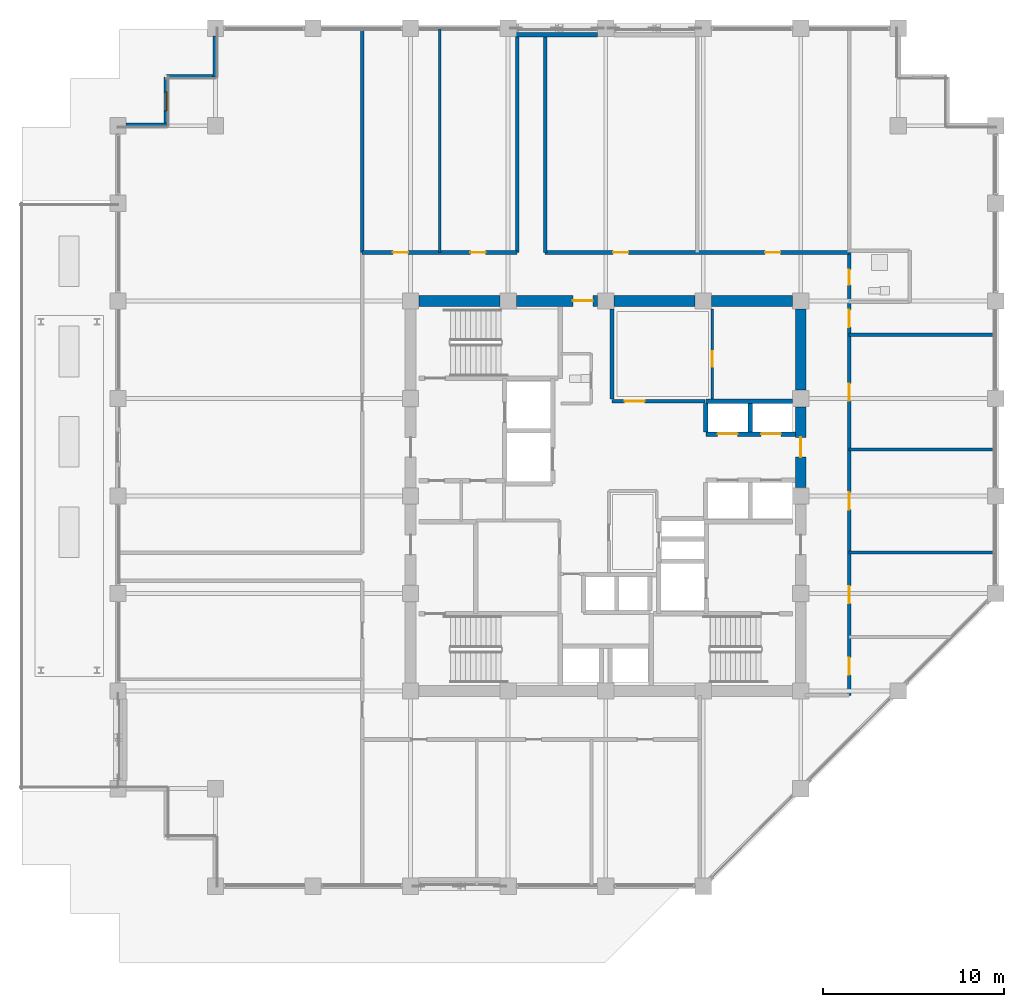
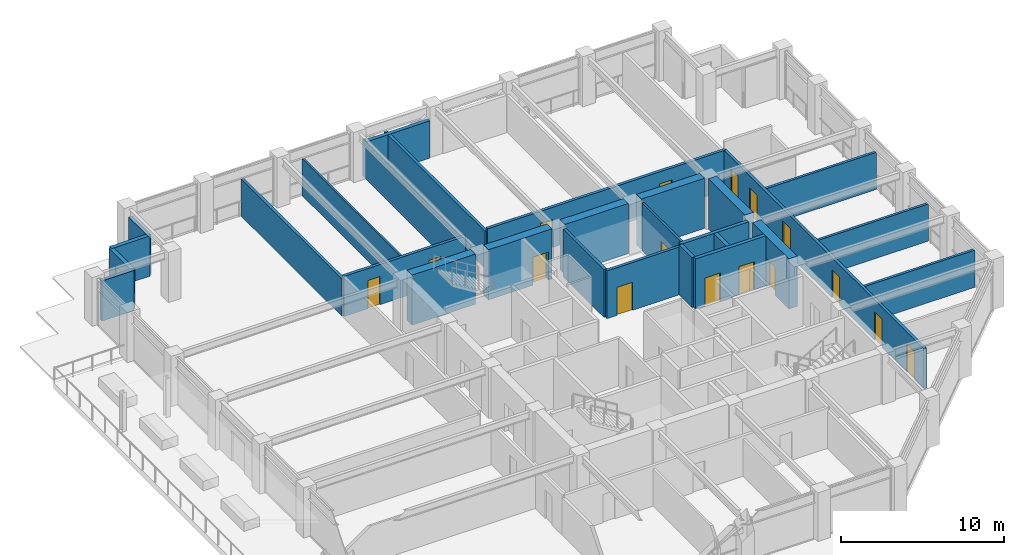
# One storey, part 27 of 36: 28 walls, 16 doors, 1 window, 17 openings.
"""IFC4 building model written with IfcOpenShell, lengths in metres."""

from ifc_helpers import new_model, si_unit, direction, frame, frame_2d, origin, place, context, subcontext, project, spatial, rectangle, extrude, material, layer, layer_set, type_object, element, fill, save


model = new_model("IFC4")

# Units and contexts
model_context = context("Model", 3, precision=1e-05, world=origin(), true_north=direction((0.0, 1.0)))
body_context = subcontext(model_context, "Body", "Model", "MODEL_VIEW")
ifc_project = project(units=[si_unit("LENGTHUNIT", "METRE"), si_unit("AREAUNIT", "SQUARE_METRE"), si_unit("VOLUMEUNIT", "CUBIC_METRE"), si_unit("PLANEANGLEUNIT", "RADIAN"), si_unit("MASSUNIT", "GRAM", prefix="KILO")], contexts=[model_context])

# Site, building, storey
site_placement = place(None, origin())
site = spatial("IfcSite", under=ifc_project, at=site_placement, CompositionType="ELEMENT")
building_placement = place(site_placement, origin())
building = spatial("IfcBuilding", under=site, at=building_placement, Name="Surkhivell Harbour Commons", CompositionType="ELEMENT")
storey_placement = place(building_placement, frame((0.0, 0.0, 171.0)))
storey = spatial("IfcBuildingStorey", under=building, at=storey_placement, Name="L44", CompositionType="ELEMENT", Elevation=171.0)

# Wall
ifc_material_1 = material(Name="Concrete C60/75", Category="concrete")
ifc_layer_1 = layer(ifc_material_1, 0.60009765625)
ifc_layer_set_1 = layer_set([ifc_layer_1], Name="Concrete C60/75")
wall_type_1 = type_object("IfcWallType", Name="WAL-CORE-600", PredefinedType="SHEAR", material=ifc_layer_set_1)
wall_1_placement = place(storey_placement, frame((-10.340087890625, 10.800048828125, 0.0), z_axis=(0.0, 0.0, 1.0), x_axis=(1.0, 0.0, 0.0)))
element("IfcWall", 1, at=wall_1_placement, inside=storey, type_object=wall_type_1, Name="L44 Core Shear Wall North 1", PredefinedType="SHEAR", context=body_context, shape_type="SweptSolid", body=[
    extrude(rectangle(XDim=4.47998046875, YDim=0.60009765625, at=frame_2d((2.239990234375, 0.0))), origin(), (0.0, 0.0, 1.0), 3.75),
])

# Wall, opening, door
wall_2_placement = place(storey_placement, frame((-4.93994140625, 10.800048828125, 0.0), z_axis=(0.0, 0.0, 1.0), x_axis=(1.0, 0.0, 0.0)))
wall_2 = element("IfcWall", 2, at=wall_2_placement, inside=storey, type_object=wall_type_1, Name="L44 Core Shear Wall North 2", PredefinedType="SHEAR", context=body_context, shape_type="SweptSolid", body=[
    extrude(rectangle(XDim=4.47998046875, YDim=0.60009765625, at=frame_2d((2.239990234375, 0.0))), origin(), (0.0, 0.0, 1.0), 3.75),
])
opening_1_placement = place(wall_2_placement, frame((3.1298828125, 0.0, 0.0)))
opening_1 = element("IfcOpeningElement", 3, at=opening_1_placement, cuts=wall_2, Name="Opening ID-2", PredefinedType="OPENING", context=body_context, shape_type="SweptSolid", body=[
    extrude(rectangle(XDim=1.10009765625, YDim=2.10009765625, at=frame_2d((0.550048828125, 1.050048828125))), frame((0.0, 0.31005859375, 0.0), z_axis=(0.0, -1.0, 0.0), x_axis=(1.0, 0.0, 0.0)), (0.0, 0.0, 1.0), 0.6201171875),
])
ifc_material_2 = material(Name="Hardwood-veneered fire-rated door leaf", Category="wood")
door_type_1 = type_object("IfcDoorType", Name="DOR-FD60-1100", OperationType="NOTDEFINED", PredefinedType="DOOR", material=ifc_material_2)
door_1_placement = place(opening_1_placement, origin())
door_1 = element("IfcDoor", 4, at=door_1_placement, inside=storey, type_object=door_type_1, Name="L44 Central Core Lift Hall North Corridor Door", OperationType="SINGLE_SWING_LEFT", OverallHeight=2.10009765625, OverallWidth=1.10009765625, PredefinedType="DOOR", context=body_context, shape_type="SweptSolid", body=[
    extrude(rectangle(XDim=1.10009765625, YDim=2.10009765625, at=frame_2d((0.550048828125, 1.050048828125))), frame((0.0, 0.02490234375, 0.0), z_axis=(0.0, -1.0, 0.0), x_axis=(1.0, 0.0, 0.0)), (0.0, 0.0, 1.0), 0.050048828125),
])
fill(opening_1, door_1)

# Wall
wall_3_placement = place(storey_placement, frame((0.4599609375, 10.800048828125, 0.0), z_axis=(0.0, 0.0, 1.0), x_axis=(1.0, 0.0, 0.0)))
element("IfcWall", 5, at=wall_3_placement, inside=storey, type_object=wall_type_1, Name="L44 Core Shear Wall North 3", PredefinedType="SHEAR", context=body_context, shape_type="SweptSolid", body=[
    extrude(rectangle(XDim=4.47998046875, YDim=0.60009765625, at=frame_2d((2.239990234375, 0.0))), origin(), (0.0, 0.0, 1.0), 3.75),
])

# Wall, opening, door
wall_4_placement = place(storey_placement, frame((10.800048828125, 0.4599609375, 0.0), z_axis=(0.0, 0.0, 1.0), x_axis=(0.0, 1.0, 0.0)))
wall_4 = element("IfcWall", 6, at=wall_4_placement, inside=storey, type_object=wall_type_1, Name="L44 Core Shear Wall East 3", PredefinedType="SHEAR", context=body_context, shape_type="SweptSolid", body=[
    extrude(rectangle(XDim=4.47998046875, YDim=0.60009765625, at=frame_2d((2.239990234375, 0.0))), origin(), (0.0, 0.0, 1.0), 3.75),
])
opening_2_placement = place(wall_4_placement, frame((1.68994140625, 0.0, 0.0)))
opening_2 = element("IfcOpeningElement", 7, at=opening_2_placement, cuts=wall_4, Name="Opening ID-2", PredefinedType="OPENING", context=body_context, shape_type="SweptSolid", body=[
    extrude(rectangle(XDim=1.10009765625, YDim=2.10009765625, at=frame_2d((0.550048828125, 1.050048828125))), frame((0.0, 0.31005859375, 0.0), z_axis=(0.0, -1.0, 0.0), x_axis=(1.0, 0.0, 0.0)), (0.0, 0.0, 1.0), 0.6201171875),
])
door_2_placement = place(opening_2_placement, origin())
door_2 = element("IfcDoor", 8, at=door_2_placement, inside=storey, type_object=door_type_1, Name="L44 Mid-Rise Lobby East Door", OperationType="SINGLE_SWING_LEFT", OverallHeight=2.10009765625, OverallWidth=1.10009765625, PredefinedType="DOOR", context=body_context, shape_type="SweptSolid", body=[
    extrude(rectangle(XDim=1.10009765625, YDim=2.10009765625, at=frame_2d((0.550048828125, 1.050048828125))), frame((0.0, 0.02490234375, 0.0), z_axis=(0.0, -1.0, 0.0), x_axis=(1.0, 0.0, 0.0)), (0.0, 0.0, 1.0), 0.050048828125),
])
fill(opening_2, door_2)

# Walls
for number, where, z_axis, x_axis, name in (
    (9, (5.860107421875, 10.800048828125, 0.0), (0.0, 0.0, 1.0), (1.0, 0.0, 0.0), "L44 Core Shear Wall North 4"),
    (10, (10.800048828125, 5.860107421875, 0.0), (0.0, 0.0, 1.0), (0.0, 1.0, 0.0), "L44 Core Shear Wall East 4"),
):
    element("IfcWall", number, at=place(storey_placement, frame(where, z_axis=z_axis, x_axis=x_axis)), inside=storey, type_object=wall_type_1, Name=name, PredefinedType="SHEAR", context=body_context, shape_type="SweptSolid", body=[
        extrude(rectangle(XDim=4.47998046875, YDim=0.60009765625, at=frame_2d((2.239990234375, 0.0))), origin(), (0.0, 0.0, 1.0), 3.75),
    ])
ifc_material_3 = material(Name="Pale-metal insulated precast concrete C45/55", Category="concrete")
ifc_layer_2 = layer(ifc_material_3, 0.260009765625)
ifc_layer_set_2 = layer_set([ifc_layer_2], Name="Pale-metal insulated precast concrete C45/55")
wall_type_2 = type_object("IfcWallType", Name="WAL-EXT-MTL260", PredefinedType="STANDARD", material=ifc_layer_set_2)
wall_5_placement = place(storey_placement, frame((-0.447998046875, 25.5400390625, 0.0), z_axis=(0.0, 0.0, 1.0), x_axis=(-1.0, 0.0, 0.0)))
element("IfcWall", 11, at=wall_5_placement, inside=storey, type_object=wall_type_2, Name="L44 Braced-Bay Insulated Spandrel Backing N", PredefinedType="STANDARD", context=body_context, shape_type="SweptSolid", body=[
    extrude(rectangle(XDim=4.50390625, YDim=0.260009765625, at=frame_2d((2.251953125, 0.0))), origin(), (0.0, 0.0, 1.0), 2.780029296875),
])
ifc_material_4 = material(Name="Terracotta-clad reinforced concrete C45/55", Category="masonry")
ifc_layer_3 = layer(ifc_material_4, 0.280029296875)
ifc_layer_set_3 = layer_set([ifc_layer_3], Name="Terracotta-clad reinforced concrete C45/55")
wall_type_3 = type_object("IfcWallType", Name="WAL-EXT-TER280", PredefinedType="STANDARD", material=ifc_layer_set_3)
wall_6_placement = place(storey_placement, frame((-21.60009765625, 25.451904296875, 0.0), z_axis=(0.0, 0.0, 1.0), x_axis=(0.0, -1.0, 0.0)))
element("IfcWall", 12, at=wall_6_placement, inside=storey, type_object=wall_type_3, Name="L44 Serrated Corner Facade Wall 08", PredefinedType="STANDARD", context=body_context, shape_type="SweptSolid", body=[
    extrude(rectangle(XDim=2.251953125, YDim=0.280029296875, at=frame_2d((1.1259765625, 0.0))), origin(), (0.0, 0.0, 1.0), 3.006103515625),
])
wall_7_placement = place(storey_placement, frame((-21.60009765625, 23.199951171875, 0.0), z_axis=(0.0, 0.0, 1.0), x_axis=(-1.0, 0.0, 0.0)))
element("IfcWall", 13, at=wall_7_placement, inside=storey, type_object=wall_type_3, Name="L44 Serrated Corner Facade Wall 09", PredefinedType="STANDARD", context=body_context, shape_type="SweptSolid", body=[
    extrude(rectangle(XDim=2.699951171875, YDim=0.280029296875, at=frame_2d((1.35009765625, 0.0))), origin(), (0.0, 0.0, 1.0), 3.006103515625),
])

# Wall, opening, window
wall_8_placement = place(storey_placement, frame((-24.300048828125, 23.199951171875, 0.0), z_axis=(0.0, 0.0, 1.0), x_axis=(0.0, -1.0, 0.0)))
wall_8 = element("IfcWall", 14, at=wall_8_placement, inside=storey, type_object=wall_type_3, Name="L44 Serrated Corner Facade Wall 10", PredefinedType="STANDARD", context=body_context, shape_type="SweptSolid", body=[
    extrude(rectangle(XDim=2.699951171875, YDim=0.280029296875, at=frame_2d((1.35009765625, 0.0))), origin(), (0.0, 0.0, 1.0), 3.006103515625),
])
opening_3_placement = place(wall_8_placement, frame((0.824951171875, 0.0, 0.64990234375)))
opening_3 = element("IfcOpeningElement", 15, at=opening_3_placement, cuts=wall_8, Name="Opening WN-11", PredefinedType="OPENING", context=body_context, shape_type="SweptSolid", body=[
    extrude(rectangle(XDim=1.050048828125, YDim=1.5, at=frame_2d((0.52490234375, 0.75))), frame((0.0, 0.14990234375, 0.0), z_axis=(0.0, -1.0, 0.0), x_axis=(1.0, 0.0, 0.0)), (0.0, 0.0, 1.0), 0.300048828125),
])
ifc_material_5 = material(Name="Thermal-break aluminium frame and double low-E glazing", Category="aluminium")
window_type = type_object("IfcWindowType", Name="WIN-SER-1050x1500", PartitioningType="SINGLE_PANEL", PredefinedType="WINDOW", material=ifc_material_5)
window_placement = place(opening_3_placement, origin())
window = element("IfcWindow", 16, at=window_placement, inside=storey, type_object=window_type, Name="L44 Serrated Alcove Window 10", OverallHeight=1.5, OverallWidth=1.050048828125, PartitioningType="SINGLE_PANEL", PredefinedType="WINDOW", context=body_context, shape_type="SweptSolid", body=[
    extrude(rectangle(XDim=1.050048828125, YDim=1.5, at=frame_2d((0.52490234375, 0.75))), frame((0.0, 0.030029296875, 0.0), z_axis=(0.0, -1.0, 0.0), x_axis=(1.0, 0.0, 0.0)), (0.0, 0.0, 1.0), 0.06005859375),
])
fill(opening_3, window)

# Walls
wall_9_placement = place(storey_placement, frame((-24.300048828125, 20.5, 0.0), z_axis=(0.0, 0.0, 1.0), x_axis=(-1.0, 0.0, 0.0)))
element("IfcWall", 17, at=wall_9_placement, inside=storey, type_object=wall_type_3, Name="L44 Serrated Corner Facade Wall 11", PredefinedType="STANDARD", context=body_context, shape_type="SweptSolid", body=[
    extrude(rectangle(XDim=2.251953125, YDim=0.280029296875, at=frame_2d((1.1259765625, 0.0))), origin(), (0.0, 0.0, 1.0), 3.006103515625),
])
ifc_material_6 = material(Name="Moisture-resistant acoustic stud partition", Category="other")
ifc_layer_4 = layer(ifc_material_6, 0.125)
ifc_layer_set_4 = layer_set([ifc_layer_4], Name="Moisture-resistant acoustic stud partition")
wall_type_4 = type_object("IfcWallType", Name="WAL-INT-125", PredefinedType="PARTITIONING", material=ifc_layer_set_4)
wall_10_placement = place(storey_placement, frame((-9.18994140625, 13.47998046875, 0.0), z_axis=(0.0, 0.0, 1.0), x_axis=(0.0, 1.0, 0.0)))
element("IfcWall", 18, at=wall_10_placement, inside=storey, type_object=wall_type_4, Name="L44 North-West Partition P1", PredefinedType="PARTITIONING", context=body_context, shape_type="SweptSolid", body=[
    extrude(rectangle(XDim=12.360107421875, YDim=0.125, at=frame_2d((6.18017578125, 0.0))), origin(), (0.0, 0.0, 1.0), 2.780029296875),
])

# Wall, opening, door
ifc_material_7 = material(Name="Twin-stud acoustic fireboard partition", Category="other")
ifc_layer_5 = layer(ifc_material_7, 0.14990234375)
ifc_layer_set_5 = layer_set([ifc_layer_5], Name="Twin-stud acoustic fireboard partition")
wall_type_5 = type_object("IfcWallType", Name="WAL-INT-150", PredefinedType="PARTITIONING", material=ifc_layer_set_5)
wall_11_placement = place(storey_placement, frame((5.89990234375, 5.360107421875, 0.0), z_axis=(0.0, 0.0, 1.0), x_axis=(0.0, 1.0, 0.0)))
wall_11 = element("IfcWall", 19, at=wall_11_placement, inside=storey, type_object=wall_type_5, Name="L44 Study Pod Wall 1", PredefinedType="PARTITIONING", context=body_context, shape_type="SweptSolid", body=[
    extrude(rectangle(XDim=4.97998046875, YDim=0.14990234375, at=frame_2d((2.489990234375, 0.0))), origin(), (0.0, 0.0, 1.0), 3.570068359375),
])
opening_4_placement = place(wall_11_placement, frame((1.800048828125, 0.0, 0.0)))
opening_4 = element("IfcOpeningElement", 20, at=opening_4_placement, cuts=wall_11, Name="Opening ID-6", PredefinedType="OPENING", context=body_context, shape_type="SweptSolid", body=[
    extrude(rectangle(XDim=0.85009765625, YDim=2.10009765625, at=frame_2d((0.425048828125, 1.050048828125))), frame((0.0, 0.0849609375, 0.0), z_axis=(0.0, -1.0, 0.0), x_axis=(1.0, 0.0, 0.0)), (0.0, 0.0, 1.0), 0.169921875),
])
door_type_2 = type_object("IfcDoorType", Name="DOR-FD30-850", OperationType="NOTDEFINED", PredefinedType="DOOR", material=ifc_material_2)
door_3_placement = place(opening_4_placement, origin())
door_3 = element("IfcDoor", 21, at=door_3_placement, inside=storey, type_object=door_type_2, Name="L44 Core Music Door", OperationType="SINGLE_SWING_RIGHT", OverallHeight=2.10009765625, OverallWidth=0.85009765625, PredefinedType="DOOR", context=body_context, shape_type="SweptSolid", body=[
    extrude(rectangle(XDim=0.85009765625, YDim=2.10009765625, at=frame_2d((0.425048828125, 1.050048828125))), frame((0.0, 0.02490234375, 0.0), z_axis=(0.0, -1.0, 0.0), x_axis=(1.0, 0.0, 0.0)), (0.0, 0.0, 1.0), 0.050048828125),
])
fill(opening_4, door_3)

# Walls
ifc_material_8 = material(Name="High-density acoustic blockwork fire partition", Category="masonry")
ifc_layer_6 = layer(ifc_material_8, 0.175048828125)
ifc_layer_set_6 = layer_set([ifc_layer_6], Name="High-density acoustic blockwork fire partition")
wall_type_6 = type_object("IfcWallType", Name="WAL-INT-175", PredefinedType="PARTITIONING", material=ifc_layer_set_6)
for number, where, z_axis, x_axis, name in (
    (22, (13.47998046875, -3.1201171875, 0.0), (0.0, 0.0, 1.0), (1.0, 0.0, 0.0), "L44 East Partition BDP1"),
    (23, (13.47998046875, 2.570068359375, 0.0), (0.0, 0.0, 1.0), (1.0, 0.0, 0.0), "L44 East Partition BDP2"),
    (24, (13.47998046875, 8.929931640625, 0.0), (0.0, 0.0, 1.0), (1.0, 0.0, 0.0), "L44 East Partition PTOP"),
):
    element("IfcWall", number, at=place(storey_placement, frame(where, z_axis=z_axis, x_axis=x_axis)), inside=storey, type_object=wall_type_6, Name=name, PredefinedType="PARTITIONING", context=body_context, shape_type="SweptSolid", body=[
        extrude(rectangle(XDim=8.06005859375, YDim=0.175048828125, at=frame_2d((4.030029296875, 0.0))), origin(), (0.0, 0.0, 1.0), 2.780029296875),
    ])

# Wall, opening, door
ifc_material_9 = material(Name="Autoclaved aerated concrete blockwork and fire plaster", Category="masonry")
ifc_layer_7 = layer(ifc_material_9, 0.199951171875)
ifc_layer_set_7 = layer_set([ifc_layer_7], Name="Autoclaved aerated concrete blockwork and fire plaster")
wall_type_7 = type_object("IfcWallType", Name="WAL-INT-200", PredefinedType="PARTITIONING", material=ifc_layer_set_7)
wall_12_placement = place(storey_placement, frame((0.35009765625, 5.239990234375, 0.0), z_axis=(0.0, 0.0, 1.0), x_axis=(1.0, 0.0, 0.0)))
wall_12 = element("IfcWall", 25, at=wall_12_placement, inside=storey, type_object=wall_type_7, Name="L44 Reclaimed Core North Bay South Wall", PredefinedType="PARTITIONING", context=body_context, shape_type="SweptSolid", body=[
    extrude(rectangle(XDim=5.14990234375, YDim=0.199951171875, at=frame_2d((2.574951171875, 0.0))), origin(), (0.0, 0.0, 1.0), 3.570068359375),
])
opening_5_placement = place(wall_12_placement, frame((0.699951171875, 0.0, 0.0)))
opening_5 = element("IfcOpeningElement", 26, at=opening_5_placement, cuts=wall_12, Name="Opening ID-2", PredefinedType="OPENING", context=body_context, shape_type="SweptSolid", body=[
    extrude(rectangle(XDim=1.10009765625, YDim=2.10009765625, at=frame_2d((0.550048828125, 1.050048828125))), frame((0.0, 0.10986328125, 0.0), z_axis=(0.0, -1.0, 0.0), x_axis=(1.0, 0.0, 0.0)), (0.0, 0.0, 1.0), 0.219970703125),
])
door_4_placement = place(opening_5_placement, origin())
door_4 = element("IfcDoor", 27, at=door_4_placement, inside=storey, type_object=door_type_1, Name="L44 Core Seminar Door", OperationType="SINGLE_SWING_LEFT", OverallHeight=2.10009765625, OverallWidth=1.10009765625, PredefinedType="DOOR", context=body_context, shape_type="SweptSolid", body=[
    extrude(rectangle(XDim=1.10009765625, YDim=2.10009765625, at=frame_2d((0.550048828125, 1.050048828125))), frame((0.0, 0.02490234375, 0.0), z_axis=(0.0, -1.0, 0.0), x_axis=(1.0, 0.0, 0.0)), (0.0, 0.0, 1.0), 0.050048828125),
])
fill(opening_5, door_4)

# Walls
wall_13_placement = place(storey_placement, frame((0.35009765625, 5.360107421875, 0.0), z_axis=(0.0, 0.0, 1.0), x_axis=(0.0, 1.0, 0.0)))
element("IfcWall", 28, at=wall_13_placement, inside=storey, type_object=wall_type_7, Name="L44 Reclaimed Core North Bay West Wall", PredefinedType="PARTITIONING", context=body_context, shape_type="SweptSolid", body=[
    extrude(rectangle(XDim=4.97998046875, YDim=0.199951171875, at=frame_2d((2.489990234375, 0.0))), origin(), (0.0, 0.0, 1.0), 3.570068359375),
])
wall_14_placement = place(storey_placement, frame((-13.47998046875, 13.47998046875, 0.0), z_axis=(0.0, 0.0, 1.0), x_axis=(0.0, 1.0, 0.0)))
element("IfcWall", 29, at=wall_14_placement, inside=storey, type_object=wall_type_7, Name="L44 North-West Corner Wall", PredefinedType="PARTITIONING", context=body_context, shape_type="SweptSolid", body=[
    extrude(rectangle(XDim=12.360107421875, YDim=0.199951171875, at=frame_2d((6.18017578125, 0.0))), origin(), (0.0, 0.0, 1.0), 2.780029296875),
])

# Wall, openings, doors
wall_15_placement = place(storey_placement, frame((13.47998046875, -11.0400390625, 0.0), z_axis=(0.0, 0.0, 1.0), x_axis=(0.0, 1.0, 0.0)))
wall_15 = element("IfcWall", 30, at=wall_15_placement, inside=storey, type_object=wall_type_7, Name="L44 Corridor East Wall", PredefinedType="PARTITIONING", context=body_context, shape_type="SweptSolid", body=[
    extrude(rectangle(XDim=24.52001953125, YDim=0.199951171875, at=frame_2d((12.260009765625, 0.0))), origin(), (0.0, 0.0, 1.0), 3.006103515625),
])
opening_6_placement = place(wall_15_placement, frame((1.139892578125, 0.0, 0.0)))
opening_6 = element("IfcOpeningElement", 31, at=opening_6_placement, cuts=wall_15, Name="Opening ID-4", PredefinedType="OPENING", context=body_context, shape_type="SweptSolid", body=[
    extrude(rectangle(XDim=0.949951171875, YDim=2.10009765625, at=frame_2d((0.47509765625, 1.050048828125))), frame((0.0, 0.10986328125, 0.0), z_axis=(0.0, -1.0, 0.0), x_axis=(1.0, 0.0, 0.0)), (0.0, 0.0, 1.0), 0.219970703125),
])
opening_7_placement = place(wall_15_placement, frame((22.72509765625, 0.0, 0.0)))
opening_7 = element("IfcOpeningElement", 32, at=opening_7_placement, cuts=wall_15, Name="Opening ID-6", PredefinedType="OPENING", context=body_context, shape_type="SweptSolid", body=[
    extrude(rectangle(XDim=0.85009765625, YDim=2.10009765625, at=frame_2d((0.425048828125, 1.050048828125))), frame((0.0, 0.10986328125, 0.0), z_axis=(0.0, -1.0, 0.0), x_axis=(1.0, 0.0, 0.0)), (0.0, 0.0, 1.0), 0.219970703125),
])
opening_8_placement = place(wall_15_placement, frame((20.389892578125, 0.0, 0.0)))
opening_8 = element("IfcOpeningElement", 33, at=opening_8_placement, cuts=wall_15, Name="Opening ID-4", PredefinedType="OPENING", context=body_context, shape_type="SweptSolid", body=[
    extrude(rectangle(XDim=0.949951171875, YDim=2.10009765625, at=frame_2d((0.47509765625, 1.050048828125))), frame((0.0, 0.10986328125, 0.0), z_axis=(0.0, -1.0, 0.0), x_axis=(1.0, 0.0, 0.0)), (0.0, 0.0, 1.0), 0.219970703125),
])
opening_9_placement = place(wall_15_placement, frame((5.10009765625, 0.0, 0.0)))
opening_9 = element("IfcOpeningElement", 34, at=opening_9_placement, cuts=wall_15, Name="Opening ID-4", PredefinedType="OPENING", context=body_context, shape_type="SweptSolid", body=[
    extrude(rectangle(XDim=0.949951171875, YDim=2.10009765625, at=frame_2d((0.47509765625, 1.050048828125))), frame((0.0, 0.10986328125, 0.0), z_axis=(0.0, -1.0, 0.0), x_axis=(1.0, 0.0, 0.0)), (0.0, 0.0, 1.0), 0.219970703125),
])
opening_10_placement = place(wall_15_placement, frame((10.284912109375, 0.0, 0.0)))
opening_10 = element("IfcOpeningElement", 35, at=opening_10_placement, cuts=wall_15, Name="Opening ID-4", PredefinedType="OPENING", context=body_context, shape_type="SweptSolid", body=[
    extrude(rectangle(XDim=0.949951171875, YDim=2.10009765625, at=frame_2d((0.47509765625, 1.050048828125))), frame((0.0, 0.10986328125, 0.0), z_axis=(0.0, -1.0, 0.0), x_axis=(1.0, 0.0, 0.0)), (0.0, 0.0, 1.0), 0.219970703125),
])
opening_11_placement = place(wall_15_placement, frame((16.31005859375, 0.0, 0.0)))
opening_11 = element("IfcOpeningElement", 36, at=opening_11_placement, cuts=wall_15, Name="Opening ID-4", PredefinedType="OPENING", context=body_context, shape_type="SweptSolid", body=[
    extrude(rectangle(XDim=0.949951171875, YDim=2.10009765625, at=frame_2d((0.47509765625, 1.050048828125))), frame((0.0, 0.10986328125, 0.0), z_axis=(0.0, -1.0, 0.0), x_axis=(1.0, 0.0, 0.0)), (0.0, 0.0, 1.0), 0.219970703125),
])
door_5_placement = place(opening_7_placement, origin())
door_5 = element("IfcDoor", 37, at=door_5_placement, inside=storey, type_object=door_type_2, Name="L44 Communal Shower Bathroom East Door", OperationType="SINGLE_SWING_LEFT", OverallHeight=2.10009765625, OverallWidth=0.85009765625, PredefinedType="DOOR", context=body_context, shape_type="SweptSolid", body=[
    extrude(rectangle(XDim=0.85009765625, YDim=2.10009765625, at=frame_2d((0.425048828125, 1.050048828125))), frame((0.0, 0.02490234375, 0.0), z_axis=(0.0, -1.0, 0.0), x_axis=(1.0, 0.0, 0.0)), (0.0, 0.0, 1.0), 0.050048828125),
])
fill(opening_7, door_5)
door_type_3 = type_object("IfcDoorType", Name="DOR-FD60-950", OperationType="NOTDEFINED", PredefinedType="DOOR", material=ifc_material_2)
door_6_placement = place(opening_6_placement, origin())
door_6 = element("IfcDoor", 38, at=door_6_placement, inside=storey, type_object=door_type_3, Name="L44 Shared Communal Kitchen East Door", OperationType="SINGLE_SWING_RIGHT", OverallHeight=2.10009765625, OverallWidth=0.949951171875, PredefinedType="DOOR", context=body_context, shape_type="SweptSolid", body=[
    extrude(rectangle(XDim=0.949951171875, YDim=2.10009765625, at=frame_2d((0.47509765625, 1.050048828125))), frame((0.0, 0.02490234375, 0.0), z_axis=(0.0, -1.0, 0.0), x_axis=(1.0, 0.0, 0.0)), (0.0, 0.0, 1.0), 0.050048828125),
])
fill(opening_6, door_6)
door_7_placement = place(opening_8_placement, origin())
door_7 = element("IfcDoor", 39, at=door_7_placement, inside=storey, type_object=door_type_3, Name="L44 Academic Reading Commons East Door", OperationType="SINGLE_SWING_RIGHT", OverallHeight=2.10009765625, OverallWidth=0.949951171875, PredefinedType="DOOR", context=body_context, shape_type="SweptSolid", body=[
    extrude(rectangle(XDim=0.949951171875, YDim=2.10009765625, at=frame_2d((0.47509765625, 1.050048828125))), frame((0.0, 0.02490234375, 0.0), z_axis=(0.0, -1.0, 0.0), x_axis=(1.0, 0.0, 0.0)), (0.0, 0.0, 1.0), 0.050048828125),
])
fill(opening_8, door_7)
door_8_placement = place(opening_9_placement, origin())
door_8 = element("IfcDoor", 40, at=door_8_placement, inside=storey, type_object=door_type_3, Name="L44 Hostel Cluster Bedroom 1 East Door", OperationType="SINGLE_SWING_LEFT", OverallHeight=2.10009765625, OverallWidth=0.949951171875, PredefinedType="DOOR", context=body_context, shape_type="SweptSolid", body=[
    extrude(rectangle(XDim=0.949951171875, YDim=2.10009765625, at=frame_2d((0.47509765625, 1.050048828125))), frame((0.0, 0.02490234375, 0.0), z_axis=(0.0, -1.0, 0.0), x_axis=(1.0, 0.0, 0.0)), (0.0, 0.0, 1.0), 0.050048828125),
])
fill(opening_9, door_8)
door_9_placement = place(opening_10_placement, origin())
door_9 = element("IfcDoor", 41, at=door_9_placement, inside=storey, type_object=door_type_3, Name="L44 Co-Living Dormitory Bedroom 2 East Door", OperationType="SINGLE_SWING_RIGHT", OverallHeight=2.10009765625, OverallWidth=0.949951171875, PredefinedType="DOOR", context=body_context, shape_type="SweptSolid", body=[
    extrude(rectangle(XDim=0.949951171875, YDim=2.10009765625, at=frame_2d((0.47509765625, 1.050048828125))), frame((0.0, 0.02490234375, 0.0), z_axis=(0.0, -1.0, 0.0), x_axis=(1.0, 0.0, 0.0)), (0.0, 0.0, 1.0), 0.050048828125),
])
fill(opening_10, door_9)
door_10_placement = place(opening_11_placement, origin())
door_10 = element("IfcDoor", 42, at=door_10_placement, inside=storey, type_object=door_type_3, Name="L44 Hostel Cluster Bedroom 3 East Door", OperationType="SINGLE_SWING_LEFT", OverallHeight=2.10009765625, OverallWidth=0.949951171875, PredefinedType="DOOR", context=body_context, shape_type="SweptSolid", body=[
    extrude(rectangle(XDim=0.949951171875, YDim=2.10009765625, at=frame_2d((0.47509765625, 1.050048828125))), frame((0.0, 0.02490234375, 0.0), z_axis=(0.0, -1.0, 0.0), x_axis=(1.0, 0.0, 0.0)), (0.0, 0.0, 1.0), 0.050048828125),
])
fill(opening_11, door_10)

wall_16_placement = place(storey_placement, frame((-13.47998046875, 13.47998046875, 0.0), z_axis=(0.0, 0.0, 1.0), x_axis=(1.0, 0.0, 0.0)))
wall_16 = element("IfcWall", 43, at=wall_16_placement, inside=storey, type_object=wall_type_7, Name="L44 Corridor North-West Wall", PredefinedType="PARTITIONING", context=body_context, shape_type="SweptSolid", body=[
    extrude(rectangle(XDim=8.580078125, YDim=0.199951171875, at=frame_2d((4.2900390625, 0.0))), origin(), (0.0, 0.0, 1.0), 3.006103515625),
])
opening_12_placement = place(wall_16_placement, frame((1.695068359375, 0.0, 0.0)))
opening_12 = element("IfcOpeningElement", 44, at=opening_12_placement, cuts=wall_16, Name="Opening ID-6", PredefinedType="OPENING", context=body_context, shape_type="SweptSolid", body=[
    extrude(rectangle(XDim=0.85009765625, YDim=2.10009765625, at=frame_2d((0.425048828125, 1.050048828125))), frame((0.0, 0.10986328125, 0.0), z_axis=(0.0, -1.0, 0.0), x_axis=(1.0, 0.0, 0.0)), (0.0, 0.0, 1.0), 0.219970703125),
])
opening_13_placement = place(wall_16_placement, frame((5.985107421875, 0.0, 0.0)))
opening_13 = element("IfcOpeningElement", 45, at=opening_13_placement, cuts=wall_16, Name="Opening ID-6", PredefinedType="OPENING", context=body_context, shape_type="SweptSolid", body=[
    extrude(rectangle(XDim=0.85009765625, YDim=2.10009765625, at=frame_2d((0.425048828125, 1.050048828125))), frame((0.0, 0.10986328125, 0.0), z_axis=(0.0, -1.0, 0.0), x_axis=(1.0, 0.0, 0.0)), (0.0, 0.0, 1.0), 0.219970703125),
])
door_11_placement = place(opening_12_placement, origin())
door_11 = element("IfcDoor", 46, at=door_11_placement, inside=storey, type_object=door_type_2, Name="L44 Campus Co-Op Bookshop North-West Door", OperationType="SINGLE_SWING_RIGHT", OverallHeight=2.10009765625, OverallWidth=0.85009765625, PredefinedType="DOOR", context=body_context, shape_type="SweptSolid", body=[
    extrude(rectangle(XDim=0.85009765625, YDim=2.10009765625, at=frame_2d((0.425048828125, 1.050048828125))), frame((0.0, 0.02490234375, 0.0), z_axis=(0.0, -1.0, 0.0), x_axis=(1.0, 0.0, 0.0)), (0.0, 0.0, 1.0), 0.050048828125),
])
fill(opening_12, door_11)
door_12_placement = place(opening_13_placement, origin())
door_12 = element("IfcDoor", 47, at=door_12_placement, inside=storey, type_object=door_type_2, Name="L44 Harbour Espresso Cafe Shop North-West Door", OperationType="SINGLE_SWING_LEFT", OverallHeight=2.10009765625, OverallWidth=0.85009765625, PredefinedType="DOOR", context=body_context, shape_type="SweptSolid", body=[
    extrude(rectangle(XDim=0.85009765625, YDim=2.10009765625, at=frame_2d((0.425048828125, 1.050048828125))), frame((0.0, 0.02490234375, 0.0), z_axis=(0.0, -1.0, 0.0), x_axis=(1.0, 0.0, 0.0)), (0.0, 0.0, 1.0), 0.050048828125),
])
fill(opening_13, door_12)

wall_17_placement = place(storey_placement, frame((-3.35009765625, 13.47998046875, 0.0), z_axis=(0.0, 0.0, 1.0), x_axis=(1.0, 0.0, 0.0)))
wall_17 = element("IfcWall", 48, at=wall_17_placement, inside=storey, type_object=wall_type_7, Name="L44 Corridor North-East Wall", PredefinedType="PARTITIONING", context=body_context, shape_type="SweptSolid", body=[
    extrude(rectangle(XDim=16.830078125, YDim=0.199951171875, at=frame_2d((8.4150390625, 0.0))), origin(), (0.0, 0.0, 1.0), 3.006103515625),
])
opening_14_placement = place(wall_17_placement, frame((3.760009765625, 0.0, 0.0)))
opening_14 = element("IfcOpeningElement", 49, at=opening_14_placement, cuts=wall_17, Name="Opening ID-6", PredefinedType="OPENING", context=body_context, shape_type="SweptSolid", body=[
    extrude(rectangle(XDim=0.85009765625, YDim=2.10009765625, at=frame_2d((0.425048828125, 1.050048828125))), frame((0.0, 0.10986328125, 0.0), z_axis=(0.0, -1.0, 0.0), x_axis=(1.0, 0.0, 0.0)), (0.0, 0.0, 1.0), 0.219970703125),
])
opening_15_placement = place(wall_17_placement, frame((12.175048828125, 0.0, 0.0)))
opening_15 = element("IfcOpeningElement", 50, at=opening_15_placement, cuts=wall_17, Name="Opening ID-6", PredefinedType="OPENING", context=body_context, shape_type="SweptSolid", body=[
    extrude(rectangle(XDim=0.85009765625, YDim=2.10009765625, at=frame_2d((0.425048828125, 1.050048828125))), frame((0.0, 0.10986328125, 0.0), z_axis=(0.0, -1.0, 0.0), x_axis=(1.0, 0.0, 0.0)), (0.0, 0.0, 1.0), 0.219970703125),
])
door_13_placement = place(opening_14_placement, origin())
door_13 = element("IfcDoor", 51, at=door_13_placement, inside=storey, type_object=door_type_2, Name="L44 Campus Co-Op Bookshop North-East Door", OperationType="SINGLE_SWING_RIGHT", OverallHeight=2.10009765625, OverallWidth=0.85009765625, PredefinedType="DOOR", context=body_context, shape_type="SweptSolid", body=[
    extrude(rectangle(XDim=0.85009765625, YDim=2.10009765625, at=frame_2d((0.425048828125, 1.050048828125))), frame((0.0, 0.02490234375, 0.0), z_axis=(0.0, -1.0, 0.0), x_axis=(1.0, 0.0, 0.0)), (0.0, 0.0, 1.0), 0.050048828125),
])
fill(opening_14, door_13)
door_14_placement = place(opening_15_placement, origin())
door_14 = element("IfcDoor", 52, at=door_14_placement, inside=storey, type_object=door_type_2, Name="L44 Harbour Espresso Cafe Shop North-East Door", OperationType="SINGLE_SWING_LEFT", OverallHeight=2.10009765625, OverallWidth=0.85009765625, PredefinedType="DOOR", context=body_context, shape_type="SweptSolid", body=[
    extrude(rectangle(XDim=0.85009765625, YDim=2.10009765625, at=frame_2d((0.425048828125, 1.050048828125))), frame((0.0, 0.02490234375, 0.0), z_axis=(0.0, -1.0, 0.0), x_axis=(1.0, 0.0, 0.0)), (0.0, 0.0, 1.0), 0.050048828125),
])
fill(opening_15, door_14)

# Walls
for number, where, z_axis, x_axis, name in (
    (53, (-3.35009765625, 13.47998046875, 0.0), (0.0, 0.0, 1.0), (0.0, 1.0, 0.0), "L44 North Spur East Wall"),
    (54, (-4.89990234375, 13.47998046875, 0.0), (0.0, 0.0, 1.0), (0.0, 1.0, 0.0), "L44 North Spur West Wall"),
):
    element("IfcWall", number, at=place(storey_placement, frame(where, z_axis=z_axis, x_axis=x_axis)), inside=storey, type_object=wall_type_7, Name=name, PredefinedType="PARTITIONING", context=body_context, shape_type="SweptSolid", body=[
        extrude(rectangle(XDim=12.360107421875, YDim=0.199951171875, at=frame_2d((6.18017578125, 0.0))), origin(), (0.0, 0.0, 1.0), 2.780029296875),
    ])
ifc_material_10 = material(Name="Concrete C50/60", Category="concrete")
ifc_layer_8 = layer(ifc_material_10, 0.25)
ifc_layer_set_8 = layer_set([ifc_layer_8], Name="Concrete C50/60")
wall_type_8 = type_object("IfcWallType", Name="WAL-SHAFT-250", PredefinedType="SHEAR", material=ifc_layer_set_8)
for number, where, z_axis, x_axis, name in (
    (55, (5.550048828125, 3.550048828125, 0.0), (0.0, 0.0, 1.0), (0.0, 1.0, 0.0), "L44 Mid-Rise Shaft Side Wall N"),
    (56, (8.0, 3.550048828125, 0.0), (0.0, 0.0, 1.0), (0.0, 1.0, 0.0), "L44 Mid-Rise Shaft Side Wall N"),
):
    element("IfcWall", number, at=place(storey_placement, frame(where, z_axis=z_axis, x_axis=x_axis)), inside=storey, type_object=wall_type_8, Name=name, PredefinedType="SHEAR", context=body_context, shape_type="SweptSolid", body=[
        extrude(rectangle(XDim=1.570068359375, YDim=0.25, at=frame_2d((0.78515625, 0.0))), origin(), (0.0, 0.0, 1.0), 3.75),
    ])

# Wall, openings, doors
wall_18_placement = place(storey_placement, frame((5.550048828125, 3.429931640625, 0.0), z_axis=(0.0, 0.0, 1.0), x_axis=(1.0, 0.0, 0.0)))
wall_18 = element("IfcWall", 57, at=wall_18_placement, inside=storey, type_object=wall_type_8, Name="L44 Mid-Rise North Front Shaft Wall", PredefinedType="SHEAR", context=body_context, shape_type="SweptSolid", body=[
    extrude(rectangle(XDim=4.949951171875, YDim=0.25, at=frame_2d((2.47509765625, 0.0))), origin(), (0.0, 0.0, 1.0), 3.75),
])
opening_16_placement = place(wall_18_placement, frame((0.64990234375, 0.0, 0.0)))
opening_16 = element("IfcOpeningElement", 58, at=opening_16_placement, cuts=wall_18, Name="Opening LD-1", PredefinedType="OPENING", context=body_context, shape_type="SweptSolid", body=[
    extrude(rectangle(XDim=1.10009765625, YDim=2.10009765625, at=frame_2d((0.550048828125, 1.050048828125))), frame((0.0, 0.135009765625, 0.0), z_axis=(0.0, -1.0, 0.0), x_axis=(1.0, 0.0, 0.0)), (0.0, 0.0, 1.0), 0.27001953125),
])
opening_17_placement = place(wall_18_placement, frame((3.050048828125, 0.0, 0.0)))
opening_17 = element("IfcOpeningElement", 59, at=opening_17_placement, cuts=wall_18, Name="Opening LD-1", PredefinedType="OPENING", context=body_context, shape_type="SweptSolid", body=[
    extrude(rectangle(XDim=1.10009765625, YDim=2.10009765625, at=frame_2d((0.550048828125, 1.050048828125))), frame((0.0, 0.135009765625, 0.0), z_axis=(0.0, -1.0, 0.0), x_axis=(1.0, 0.0, 0.0)), (0.0, 0.0, 1.0), 0.27001953125),
])
ifc_material_11 = material(Name="Brushed stainless steel S355", Category="steel")
door_type_4 = type_object("IfcDoorType", Name="DOR-LD-1100", OperationType="SLIDING_TO_LEFT", PredefinedType="DOOR", material=ifc_material_11)
door_15_placement = place(opening_16_placement, origin())
door_15 = element("IfcDoor", 60, at=door_15_placement, inside=storey, type_object=door_type_4, Name="L44 Lift Landing Door LD-PM1", OperationType="SLIDING_TO_RIGHT", OverallHeight=2.10009765625, OverallWidth=1.10009765625, PredefinedType="DOOR", context=body_context, shape_type="SweptSolid", body=[
    extrude(rectangle(XDim=1.10009765625, YDim=2.10009765625, at=frame_2d((0.550048828125, 1.050048828125))), frame((0.0, 0.02490234375, 0.0), z_axis=(0.0, -1.0, 0.0), x_axis=(1.0, 0.0, 0.0)), (0.0, 0.0, 1.0), 0.050048828125),
])
fill(opening_16, door_15)
door_16_placement = place(opening_17_placement, origin())
door_16 = element("IfcDoor", 61, at=door_16_placement, inside=storey, type_object=door_type_4, Name="L44 Lift Landing Door LD-PM2", OperationType="SLIDING_TO_RIGHT", OverallHeight=2.10009765625, OverallWidth=1.10009765625, PredefinedType="DOOR", context=body_context, shape_type="SweptSolid", body=[
    extrude(rectangle(XDim=1.10009765625, YDim=2.10009765625, at=frame_2d((0.550048828125, 1.050048828125))), frame((0.0, 0.02490234375, 0.0), z_axis=(0.0, -1.0, 0.0), x_axis=(1.0, 0.0, 0.0)), (0.0, 0.0, 1.0), 0.050048828125),
])
fill(opening_17, door_16)

# Wall
wall_19_placement = place(storey_placement, frame((5.550048828125, 5.239990234375, 0.0), z_axis=(0.0, 0.0, 1.0), x_axis=(1.0, 0.0, 0.0)))
element("IfcWall", 62, at=wall_19_placement, inside=storey, type_object=wall_type_8, Name="L44 Mid-Rise North Back Shaft Wall", PredefinedType="SHEAR", context=body_context, shape_type="SweptSolid", body=[
    extrude(rectangle(XDim=4.800048828125, YDim=0.25, at=frame_2d((2.39990234375, 0.0))), origin(), (0.0, 0.0, 1.0), 3.75),
])

save(model, "model.ifc")
